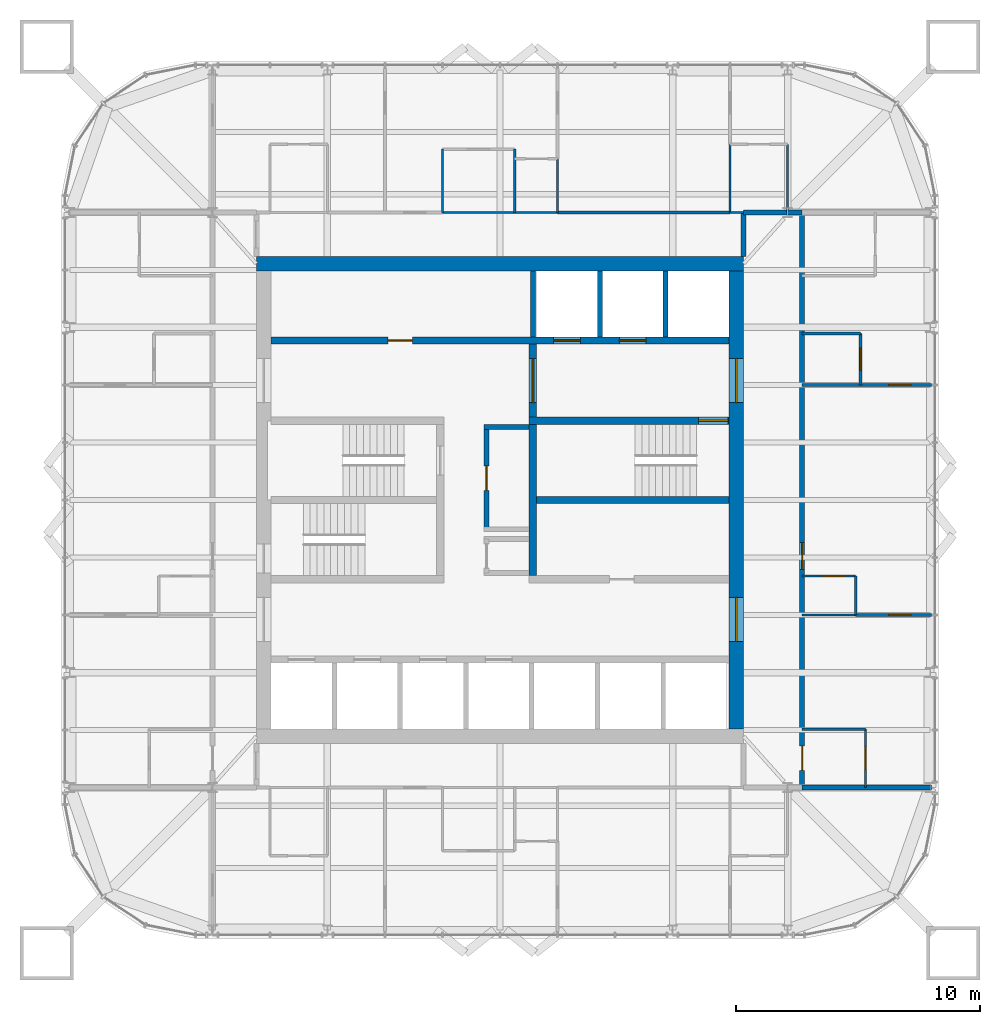
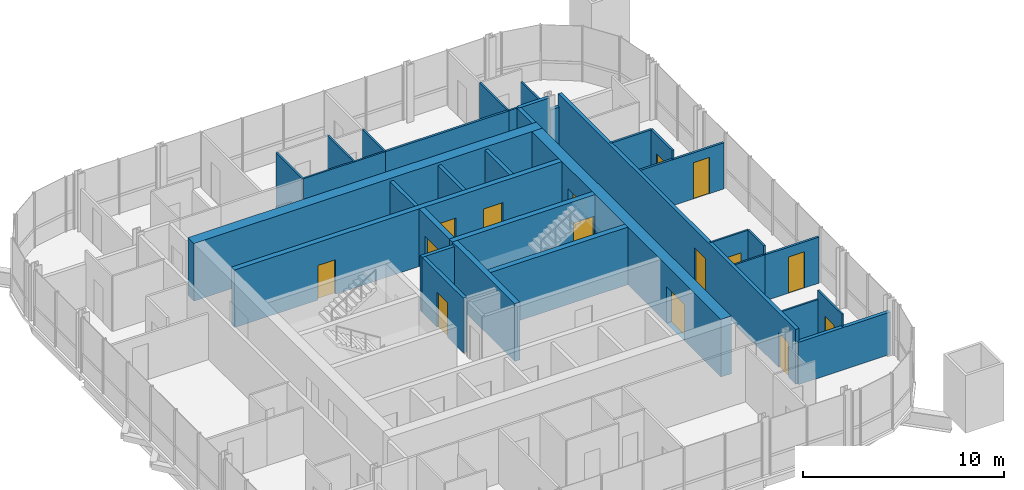
# One storey, part 15 of 17: 33 walls, 15 doors, 15 openings.
"""IFC4 building model written with IfcOpenShell, lengths in metres."""

import ifcopenshell
import ifcopenshell.guid

model = None  # the IFC model being written
_history = None  # IfcOwnerHistory: only IFC2X3 demands one
_inside = {}  # id of a spatial element -> (the spatial element, [elements in it])
_under = {}  # id of a project, library or spatial element -> (it, [spatial elements below it])
_declared = {}  # id of a project -> (the project, [libraries it declares])
_typed = {}  # id of a type object -> (the type object, [elements of that type])
_made_of = {}  # id of a material, layer set ... -> (it, [elements and type objects made of it])


def new_model(schema):
    """Start an empty IFC model of exactly this schema.

    Asked for "IFC4X3", IfcOpenShell would pick the latest addendum, in which some entities
    have other attributes; the version numbers below select the first issue.
    IFC2X3 requires an IfcOwnerHistory on every rooted entity: one is made here for all.
    """
    global model, _history
    if schema == "IFC4X3":
        model = ifcopenshell.file(schema_version=(4, 3, 0, 0))
    else:
        model = ifcopenshell.file(schema=schema)
    _inside.clear()
    _under.clear()
    _declared.clear()
    _typed.clear()
    _made_of.clear()
    _history = None
    if model.schema == "IFC2X3":
        org = make("IfcOrganization", Name="unknown")
        user = make(
            "IfcPersonAndOrganization",
            ThePerson=make("IfcPerson", FamilyName="unknown"),
            TheOrganization=org,
        )
        app = make(
            "IfcApplication",
            ApplicationDeveloper=org,
            Version="unknown",
            ApplicationFullName="unknown",
            ApplicationIdentifier="unknown",
        )
        _history = make(
            "IfcOwnerHistory",
            OwningUser=user,
            OwningApplication=app,
            ChangeAction="ADDED",
            CreationDate=0,
        )
    return model


def make(cls, **values):
    """One entity of the class cls with the attributes given. An attribute that is None is left unset."""
    return model.create_entity(
        cls, **{name: value for name, value in values.items() if value is not None}
    )


def rooted(cls, **values):
    """An entity with a GlobalId (a new one), such as an element, a storey or a relation."""
    return make(cls, GlobalId=ifcopenshell.guid.new(), OwnerHistory=_history, **values)


def si_unit(unit_type, name, prefix=None):
    """IfcSIUnit, for example si_unit("LENGTHUNIT", "METRE", prefix="MILLI")."""
    return make("IfcSIUnit", UnitType=unit_type, Prefix=prefix, Name=name)


def assignment(units):
    """IfcUnitAssignment: the units of a project."""
    return None if units is None else make("IfcUnitAssignment", Units=units)


def point(xyz):
    """IfcCartesianPoint."""
    return None if xyz is None else make("IfcCartesianPoint", Coordinates=xyz)


def direction(xyz):
    """IfcDirection."""
    return None if xyz is None else make("IfcDirection", DirectionRatios=xyz)


def frame(location, z_axis=None, x_axis=None):
    """IfcAxis2Placement3D, a coordinate frame: its origin and axes. An axis left out is left unset."""
    return make(
        "IfcAxis2Placement3D",
        Location=point(location),
        Axis=direction(z_axis),
        RefDirection=direction(x_axis),
    )


def frame_2d(location, x_axis=None):
    """IfcAxis2Placement2D, a coordinate frame in the plane: its origin and x axis."""
    return make(
        "IfcAxis2Placement2D", Location=point(location), RefDirection=direction(x_axis)
    )


def origin():
    """The frame at (0, 0, 0) with its axes left unset."""
    return frame((0.0, 0.0, 0.0))


def place(relative_to, where):
    """IfcLocalPlacement: puts the frame where relative to a parent placement (None: the world)."""
    return make(
        "IfcLocalPlacement", PlacementRelTo=relative_to, RelativePlacement=where
    )


def context(
    kind, dimensions, precision=None, world=None, true_north=None, identifier=None
):
    """IfcGeometricRepresentationContext, for example the 3D "Model" context."""
    return make(
        "IfcGeometricRepresentationContext",
        ContextIdentifier=identifier,
        ContextType=kind,
        CoordinateSpaceDimension=dimensions,
        Precision=precision,
        WorldCoordinateSystem=world,
        TrueNorth=true_north,
    )


def subcontext(parent, identifier, kind, view, scale=None):
    """IfcGeometricRepresentationSubContext, for example "Body" below "Model"."""
    return make(
        "IfcGeometricRepresentationSubContext",
        ContextIdentifier=identifier,
        ContextType=kind,
        ParentContext=parent,
        TargetScale=scale,
        TargetView=view,
    )


def project(units=None, contexts=None):
    """IfcProject with its units and contexts."""
    return rooted(
        "IfcProject",
        Name="project",
        RepresentationContexts=contexts,
        UnitsInContext=assignment(units),
    )


def spatial(cls, under=None, at=None, **own):
    """A site, building, storey or space (cls), placed at a placement, below another one or the project."""
    s = rooted(cls, ObjectPlacement=at, **own)
    if under is not None:
        _under.setdefault(under.id(), (under, []))[1].append(s)
    return s


def profile(cls, at=None, kind="AREA", **sizes):
    """A parametric profile (cls). Its sizes go by their IFC names, for example OverallWidth=200.0."""
    return make(cls, ProfileType=kind, Position=at, **sizes)


def rectangle(**sizes):
    """IfcRectangleProfileDef."""
    return profile("IfcRectangleProfileDef", **sizes)


def extrude(swept, where, along, depth):
    """IfcExtrudedAreaSolid: the profile swept, set in the frame where, extruded along a direction by depth."""
    return make(
        "IfcExtrudedAreaSolid",
        SweptArea=swept,
        Position=where,
        ExtrudedDirection=direction(along),
        Depth=depth,
    )


def shape(context_of_items, identifier, shape_type, items):
    """IfcShapeRepresentation: the items that make up one representation, for example the "Body"."""
    return make(
        "IfcShapeRepresentation",
        ContextOfItems=context_of_items,
        RepresentationIdentifier=identifier,
        RepresentationType=shape_type,
        Items=items,
    )


def material(Name=None, Category=None):
    """IfcMaterial."""
    return make("IfcMaterial", Name=Name, Category=Category)


def layer(
    of_material, thickness, ventilated=None, Name=None, Category=None, Priority=None
):
    """IfcMaterialLayer: one layer of a wall or slab, of a material (None: an air gap)."""
    return make(
        "IfcMaterialLayer",
        Material=of_material,
        LayerThickness=thickness,
        IsVentilated=ventilated,
        Name=Name,
        Category=Category,
        Priority=Priority,
    )


def layer_set(layers, Name=None):
    """IfcMaterialLayerSet."""
    return make("IfcMaterialLayerSet", MaterialLayers=layers, LayerSetName=Name)


def made_of(thing, what):
    """Note that an element or type object is made of a material, layer set ...; save() writes the relation."""
    if what is not None:
        _made_of.setdefault(what.id(), (what, []))[1].append(thing)
    return thing


def type_object(cls, material=None, **own):
    """A type object (cls), such as IfcWallType, which elements share."""
    return made_of(rooted(cls, **own), material)


def element(
    cls,
    number,
    at=None,
    inside=None,
    cuts=None,
    type_object=None,
    material=None,
    context=None,
    identifier="Body",
    shape_type=None,
    held_by="IfcProductDefinitionShape",
    body=None,
    shapes=None,
    **own,
):
    """One element of the class cls, such as IfcWall. Its Tag is "e" and its number.

    at: its placement. inside: the storey or other place that contains it. cuts: it is an
    opening in that element (IfcRelVoidsElement). A single representation is given by context,
    identifier, shape_type and body (its items); several are given by shapes. held_by: the class
    of the entity that holds the representations. save() writes the other relations.
    """
    e = rooted(cls, Tag="e%d" % number, ObjectPlacement=at, **own)
    if body is not None:
        shapes = [shape(context, identifier, shape_type, body)]
    if shapes is not None:
        e.Representation = make(held_by, Representations=shapes)
    if inside is not None:
        _inside.setdefault(inside.id(), (inside, []))[1].append(e)
    if cuts is not None:
        rooted(
            "IfcRelVoidsElement", RelatingBuildingElement=cuts, RelatedOpeningElement=e
        )
    if type_object is not None:
        _typed.setdefault(type_object.id(), (type_object, []))[1].append(e)
    return made_of(e, material)


def fill(opening, filler):
    """IfcRelFillsElement: the door or window that sits in an opening."""
    return rooted(
        "IfcRelFillsElement",
        RelatingOpeningElement=opening,
        RelatedBuildingElement=filler,
    )


def aggregate(whole, parts):
    """IfcRelAggregates: a whole, such as a stair, and the parts it consists of."""
    return rooted("IfcRelAggregates", RelatingObject=whole, RelatedObjects=parts)


def save(model, path):
    """Write the relations noted so far, then the file.

    IfcRelAggregates (storeys below a building ...), IfcRelContainedInSpatialStructure (elements
    in a storey), IfcRelDefinesByType, IfcRelAssociatesMaterial and IfcRelDeclares: one each for
    every whole, place, type object, material and project.
    """
    for whole, parts in _under.values():
        aggregate(whole, parts)
    for where, things in _inside.values():
        rooted(
            "IfcRelContainedInSpatialStructure",
            RelatedElements=things,
            RelatingStructure=where,
        )
    for kind, things in _typed.values():
        rooted("IfcRelDefinesByType", RelatedObjects=things, RelatingType=kind)
    for what, things in _made_of.values():
        rooted("IfcRelAssociatesMaterial", RelatedObjects=things, RelatingMaterial=what)
    for by, libraries in _declared.values():
        rooted("IfcRelDeclares", RelatingContext=by, RelatedDefinitions=libraries)
    model.write(path)


model = new_model("IFC4")

# Units and contexts
model_context = context("Model", 3, precision=1e-05, world=origin(), true_north=direction((0.0, 1.0)))
body_context = subcontext(model_context, "Body", "Model", "MODEL_VIEW")
ifc_project = project(units=[si_unit("LENGTHUNIT", "METRE"), si_unit("AREAUNIT", "SQUARE_METRE"), si_unit("VOLUMEUNIT", "CUBIC_METRE"), si_unit("PLANEANGLEUNIT", "RADIAN"), si_unit("MASSUNIT", "GRAM", prefix="KILO")], contexts=[model_context])

# Site, building, storey
site_placement = place(None, origin())
site = spatial("IfcSite", under=ifc_project, at=site_placement, CompositionType="ELEMENT")
building_placement = place(site_placement, origin())
building = spatial("IfcBuilding", under=site, at=building_placement, Name="Turquesa Mirador Hotel Tower", CompositionType="ELEMENT")
storey_placement = place(building_placement, frame((0.0, 0.0, 251.199951171875)))
storey = spatial("IfcBuildingStorey", under=building, at=storey_placement, Name="L68", CompositionType="ELEMENT", Elevation=251.199951171875)

# Wall, opening, door
ifc_material_1 = material(Name="Gypsum board on steel studs", Category="steel")
ifc_layer_1 = layer(ifc_material_1, 0.10009765625)
ifc_layer_set_1 = layer_set([ifc_layer_1], Name="BATHROOM WALL 100")
wall_type_1 = type_object("IfcWallType", Name="BATHROOM WALL 100", PredefinedType="PARTITIONING", material=ifc_layer_set_1)
wall_1_placement = place(storey_placement, frame((67.39990234375, 41.8798828125, 0.0), z_axis=(0.0, 0.0, 1.0), x_axis=(1.0, 0.0, 0.0)))
wall_1 = element("IfcWall", 1, at=wall_1_placement, inside=storey, type_object=wall_type_1, Name="Partition L68 016", PredefinedType="PARTITIONING", context=body_context, shape_type="SweptSolid", body=[
    extrude(rectangle(XDim=2.2001953125, YDim=0.10009765625, at=frame_2d((1.10009765625, 0.0))), origin(), (0.0, 0.0, 1.0), 3.330078125),
])
opening_1_placement = place(wall_1_placement, frame((0.85009765625, 0.0, 0.0)))
opening_1 = element("IfcOpeningElement", 2, at=opening_1_placement, cuts=wall_1, Name="Opening D06", PredefinedType="OPENING", context=body_context, shape_type="SweptSolid", body=[
    extrude(rectangle(XDim=0.89990234375, YDim=2.10009765625, at=frame_2d((0.449951171875, 1.050048828125))), frame((0.0, 0.06005859375, 0.0), z_axis=(0.0, -1.0, 0.0), x_axis=(1.0, 0.0, 0.0)), (0.0, 0.0, 1.0), 0.1201171875),
])
ifc_material_2 = material(Name="Laminate door", Category="wood")
door_type_1 = type_object("IfcDoorType", Name="DOOR 900X2100 WC", OperationType="SINGLE_SWING_LEFT", PredefinedType="DOOR", material=ifc_material_2)
door_1_placement = place(opening_1_placement, origin())
door_1 = element("IfcDoor", 3, at=door_1_placement, inside=storey, type_object=door_type_1, Name="Door 6803W", OperationType="SINGLE_SWING_LEFT", OverallHeight=2.10009765625, OverallWidth=0.89990234375, PredefinedType="DOOR", context=body_context, shape_type="SweptSolid", body=[
    extrude(rectangle(XDim=0.89990234375, YDim=2.10009765625, at=frame_2d((0.449951171875, 1.050048828125))), frame((0.0, 0.02490234375, 0.0), z_axis=(0.0, -1.0, 0.0), x_axis=(1.0, 0.0, 0.0)), (0.0, 0.0, 1.0), 0.050048828125),
])
fill(opening_1, door_1)

# Walls
wall_2_placement = place(storey_placement, frame((67.39990234375, 40.280029296875, 0.0), z_axis=(0.0, 0.0, 1.0), x_axis=(1.0, 0.0, 0.0)))
element("IfcWall", 4, at=wall_2_placement, inside=storey, type_object=wall_type_1, Name="Partition L68 018", PredefinedType="PARTITIONING", context=body_context, shape_type="SweptSolid", body=[
    extrude(rectangle(XDim=2.2001953125, YDim=0.10009765625, at=frame_2d((1.10009765625, 0.0))), origin(), (0.0, 0.0, 1.0), 2.796630859375),
])
wall_3_placement = place(storey_placement, frame((67.39990234375, 35.60009765625, 0.0), z_axis=(0.0, 0.0, 1.0), x_axis=(1.0, 0.0, 0.0)))
element("IfcWall", 5, at=wall_3_placement, inside=storey, type_object=wall_type_1, Name="Partition L68 022", PredefinedType="PARTITIONING", context=body_context, shape_type="SweptSolid", body=[
    extrude(rectangle(XDim=2.60009765625, YDim=0.10009765625, at=frame_2d((1.300048828125, 0.0))), origin(), (0.0, 0.0, 1.0), 2.796630859375),
])
wall_4_placement = place(storey_placement, frame((52.639892578125, 56.800048828125, 0.0), z_axis=(0.0, 0.0, 1.0), x_axis=(1.0, 0.0, 0.0)))
element("IfcWall", 6, at=wall_4_placement, inside=storey, type_object=wall_type_1, Name="Partition L68 024", PredefinedType="PARTITIONING", context=body_context, shape_type="SweptSolid", body=[
    extrude(rectangle(XDim=4.72021484375, YDim=0.10009765625, at=frame_2d((2.360107421875, 0.0))), origin(), (0.0, 0.0, 1.0), 3.330078125),
])
wall_5_placement = place(storey_placement, frame((64.43994140625, 56.800048828125, 0.0), z_axis=(0.0, 0.0, 1.0), x_axis=(1.0, 0.0, 0.0)))
element("IfcWall", 7, at=wall_5_placement, inside=storey, type_object=wall_type_1, Name="Partition L68 025", PredefinedType="PARTITIONING", context=body_context, shape_type="SweptSolid", body=[
    extrude(rectangle(XDim=0.56005859375, YDim=0.10009765625, at=frame_2d((0.280029296875, 0.0))), origin(), (0.0, 0.0, 1.0), 3.330078125),
])
for number, where, z_axis, x_axis, name in (
    (8, (52.639892578125, 56.800048828125, 0.0), (0.0, 0.0, 1.0), (0.0, 1.0, 0.0), "Partition L68 053"),
    (9, (55.60009765625, 56.800048828125, 0.0), (0.0, 0.0, 1.0), (0.0, 1.0, 0.0), "Partition L68 061"),
):
    element("IfcWall", number, at=place(storey_placement, frame(where, z_axis=z_axis, x_axis=x_axis)), inside=storey, type_object=wall_type_1, Name=name, PredefinedType="PARTITIONING", context=body_context, shape_type="SweptSolid", body=[
        extrude(rectangle(XDim=2.599853515625, YDim=0.10009765625, at=frame_2d((1.2998046875, 0.0))), origin(), (0.0, 0.0, 1.0), 3.330078125),
    ])
wall_6_placement = place(storey_placement, frame((66.800048828125, 56.800048828125, 0.0), z_axis=(0.0, 0.0, 1.0), x_axis=(0.0, 1.0, 0.0)))
element("IfcWall", 10, at=wall_6_placement, inside=storey, type_object=wall_type_1, Name="Partition L68 065", PredefinedType="PARTITIONING", context=body_context, shape_type="SweptSolid", body=[
    extrude(rectangle(XDim=2.800048828125, YDim=0.10009765625, at=frame_2d((1.39990234375, 0.0))), origin(), (0.0, 0.0, 1.0), 2.5732421875),
])
wall_7_placement = place(storey_placement, frame((69.60009765625, 40.280029296875, 0.0), z_axis=(0.0, 0.0, 1.0), x_axis=(0.0, 1.0, 0.0)))
element("IfcWall", 11, at=wall_7_placement, inside=storey, type_object=wall_type_1, Name="Partition L68 067", PredefinedType="PARTITIONING", context=body_context, shape_type="SweptSolid", body=[
    extrude(rectangle(XDim=1.599853515625, YDim=0.10009765625, at=frame_2d((0.7998046875, 0.0))), origin(), (0.0, 0.0, 1.0), 3.330078125),
])

# Wall, opening, door
wall_8_placement = place(storey_placement, frame((70.0, 33.199951171875, 0.0), z_axis=(0.0, 0.0, 1.0), x_axis=(0.0, 1.0, 0.0)))
wall_8 = element("IfcWall", 12, at=wall_8_placement, inside=storey, type_object=wall_type_1, Name="Partition L68 069", PredefinedType="PARTITIONING", context=body_context, shape_type="SweptSolid", body=[
    extrude(rectangle(XDim=2.400146484375, YDim=0.10009765625, at=frame_2d((1.2001953125, 0.0))), origin(), (0.0, 0.0, 1.0), 3.330078125),
])
opening_2_placement = place(wall_8_placement, frame((0.75, 0.0, 0.0)))
opening_2 = element("IfcOpeningElement", 13, at=opening_2_placement, cuts=wall_8, Name="Opening D17", PredefinedType="OPENING", context=body_context, shape_type="SweptSolid", body=[
    extrude(rectangle(XDim=0.89990234375, YDim=2.199951171875, at=frame_2d((0.449951171875, 1.10009765625))), frame((0.0, 0.06005859375, 0.0), z_axis=(0.0, -1.0, 0.0), x_axis=(1.0, 0.0, 0.0)), (0.0, 0.0, 1.0), 0.1201171875),
])
ifc_material_3 = material(Name="Timber veneered door", Category="wood")
door_type_2 = type_object("IfcDoorType", Name="DOOR 900X2200 SUITE INTERNAL", OperationType="SINGLE_SWING_LEFT", PredefinedType="DOOR", material=ifc_material_3)
door_2_placement = place(opening_2_placement, origin())
door_2 = element("IfcDoor", 14, at=door_2_placement, inside=storey, type_object=door_type_2, Name="Door 6803P", OperationType="SINGLE_SWING_LEFT", OverallHeight=2.199951171875, OverallWidth=0.89990234375, PredefinedType="DOOR", context=body_context, shape_type="SweptSolid", body=[
    extrude(rectangle(XDim=0.89990234375, YDim=2.199951171875, at=frame_2d((0.449951171875, 1.10009765625))), frame((0.0, 0.02490234375, 0.0), z_axis=(0.0, -1.0, 0.0), x_axis=(1.0, 0.0, 0.0)), (0.0, 0.0, 1.0), 0.050048828125),
])
fill(opening_2, door_2)

# Walls
wall_9_placement = place(storey_placement, frame((57.360107421875, 56.800048828125, 0.0), z_axis=(0.0, 0.0, 1.0), x_axis=(0.0, 1.0, 0.0)))
element("IfcWall", 15, at=wall_9_placement, inside=storey, type_object=wall_type_1, Name="Partition L68 072", PredefinedType="PARTITIONING", context=body_context, shape_type="SweptSolid", body=[
    extrude(rectangle(XDim=2.199951171875, YDim=0.10009765625, at=frame_2d((1.10009765625, 0.0))), origin(), (0.0, 0.0, 1.0), 3.330078125),
])
wall_10_placement = place(storey_placement, frame((64.43994140625, 56.800048828125, 0.0), z_axis=(0.0, 0.0, 1.0), x_axis=(0.0, 1.0, 0.0)))
element("IfcWall", 16, at=wall_10_placement, inside=storey, type_object=wall_type_1, Name="Partition L68 076", PredefinedType="PARTITIONING", context=body_context, shape_type="SweptSolid", body=[
    extrude(rectangle(XDim=2.800048828125, YDim=0.10009765625, at=frame_2d((1.39990234375, 0.0))), origin(), (0.0, 0.0, 1.0), 3.330078125),
])

# Wall, openings, doors
ifc_material_4 = material(Name="Concrete C50/60", Category="concrete")
ifc_layer_2 = layer(ifc_material_4, 0.300048828125)
ifc_layer_set_2 = layer_set([ifc_layer_2], Name="CORE INNER WALL 300")
wall_type_2 = type_object("IfcWallType", Name="CORE INNER WALL 300", PredefinedType="SHEAR", material=ifc_layer_set_2)
wall_11_placement = place(storey_placement, frame((45.60009765625, 51.550048828125, 0.0), z_axis=(0.0, 0.0, 1.0), x_axis=(1.0, 0.0, 0.0)))
wall_11 = element("IfcWall", 17, at=wall_11_placement, inside=storey, type_object=wall_type_2, Name="Core wall NL", PredefinedType="SHEAR", context=body_context, shape_type="SweptSolid", body=[
    extrude(rectangle(XDim=18.7998046875, YDim=0.300048828125, at=frame_2d((9.39990234375, 0.0))), origin(), (0.0, 0.0, 1.0), 3.5),
])
opening_3_placement = place(wall_11_placement, frame((4.800048828125, 0.0, 0.0)))
opening_3 = element("IfcOpeningElement", 18, at=opening_3_placement, cuts=wall_11, Name="Opening D05", PredefinedType="OPENING", context=body_context, shape_type="SweptSolid", body=[
    extrude(rectangle(XDim=1.0, YDim=2.10009765625, at=frame_2d((0.5, 1.050048828125))), frame((0.0, 0.159912109375, 0.0), z_axis=(0.0, -1.0, 0.0), x_axis=(1.0, 0.0, 0.0)), (0.0, 0.0, 1.0), 0.320068359375),
])
opening_4_placement = place(wall_11_placement, frame((11.60009765625, 0.0, 0.0)))
opening_4 = element("IfcOpeningElement", 19, at=opening_4_placement, cuts=wall_11, Name="Opening LD", PredefinedType="OPENING", context=body_context, shape_type="SweptSolid", body=[
    extrude(rectangle(XDim=1.10009765625, YDim=2.199951171875, at=frame_2d((0.550048828125, 1.10009765625))), frame((0.0, 0.159912109375, 0.0), z_axis=(0.0, -1.0, 0.0), x_axis=(1.0, 0.0, 0.0)), (0.0, 0.0, 1.0), 0.320068359375),
])
opening_5_placement = place(wall_11_placement, frame((14.300048828125, 0.0, 0.0)))
opening_5 = element("IfcOpeningElement", 20, at=opening_5_placement, cuts=wall_11, Name="Opening LD", PredefinedType="OPENING", context=body_context, shape_type="SweptSolid", body=[
    extrude(rectangle(XDim=1.10009765625, YDim=2.199951171875, at=frame_2d((0.550048828125, 1.10009765625))), frame((0.0, 0.159912109375, 0.0), z_axis=(0.0, -1.0, 0.0), x_axis=(1.0, 0.0, 0.0)), (0.0, 0.0, 1.0), 0.320068359375),
])
ifc_material_5 = material(Name="Steel fire door", Category="steel")
door_type_3 = type_object("IfcDoorType", Name="DOOR 1000X2100 SERVICE", OperationType="SINGLE_SWING_LEFT", PredefinedType="DOOR", material=ifc_material_5)
door_3_placement = place(opening_3_placement, origin())
door_3 = element("IfcDoor", 21, at=door_3_placement, inside=storey, type_object=door_type_3, Name="Linen store door", OperationType="SINGLE_SWING_LEFT", OverallHeight=2.10009765625, OverallWidth=1.0, PredefinedType="DOOR", context=body_context, shape_type="SweptSolid", body=[
    extrude(rectangle(XDim=1.0, YDim=2.10009765625, at=frame_2d((0.5, 1.050048828125))), frame((0.0, 0.02490234375, 0.0), z_axis=(0.0, -1.0, 0.0), x_axis=(1.0, 0.0, 0.0)), (0.0, 0.0, 1.0), 0.050048828125),
])
fill(opening_3, door_3)
ifc_material_6 = material(Name="Stainless steel lift landing door", Category="steel")
door_type_4 = type_object("IfcDoorType", Name="LIFT LANDING DOOR 1100X2200", OperationType="SLIDING_TO_LEFT", PredefinedType="DOOR", material=ifc_material_6)
door_4_placement = place(opening_4_placement, origin())
door_4 = element("IfcDoor", 22, at=door_4_placement, inside=storey, type_object=door_type_4, Name="Lift S1 landing door", OperationType="SLIDING_TO_LEFT", OverallHeight=2.199951171875, OverallWidth=1.10009765625, PredefinedType="DOOR", context=body_context, shape_type="SweptSolid", body=[
    extrude(rectangle(XDim=1.10009765625, YDim=2.199951171875, at=frame_2d((0.550048828125, 1.10009765625))), frame((0.0, 0.02490234375, 0.0), z_axis=(0.0, -1.0, 0.0), x_axis=(1.0, 0.0, 0.0)), (0.0, 0.0, 1.0), 0.050048828125),
])
fill(opening_4, door_4)
door_5_placement = place(opening_5_placement, origin())
door_5 = element("IfcDoor", 23, at=door_5_placement, inside=storey, type_object=door_type_4, Name="Lift S2 landing door", OperationType="SLIDING_TO_LEFT", OverallHeight=2.199951171875, OverallWidth=1.10009765625, PredefinedType="DOOR", context=body_context, shape_type="SweptSolid", body=[
    extrude(rectangle(XDim=1.10009765625, YDim=2.199951171875, at=frame_2d((0.550048828125, 1.10009765625))), frame((0.0, 0.02490234375, 0.0), z_axis=(0.0, -1.0, 0.0), x_axis=(1.0, 0.0, 0.0)), (0.0, 0.0, 1.0), 0.050048828125),
])
fill(opening_5, door_5)

# Wall, opening, door
wall_12_placement = place(storey_placement, frame((56.199951171875, 48.25, 0.0), z_axis=(0.0, 0.0, 1.0), x_axis=(1.0, 0.0, 0.0)))
wall_12 = element("IfcWall", 24, at=wall_12_placement, inside=storey, type_object=wall_type_2, Name="Core wall MN-E", PredefinedType="SHEAR", context=body_context, shape_type="SweptSolid", body=[
    extrude(rectangle(XDim=8.199951171875, YDim=0.300048828125, at=frame_2d((4.10009765625, 0.0))), origin(), (0.0, 0.0, 1.0), 3.5),
])
opening_6_placement = place(wall_12_placement, frame((6.949951171875, 0.0, 0.0)))
opening_6 = element("IfcOpeningElement", 25, at=opening_6_placement, cuts=wall_12, Name="Opening D03", PredefinedType="OPENING", context=body_context, shape_type="SweptSolid", body=[
    extrude(rectangle(XDim=1.199951171875, YDim=2.199951171875, at=frame_2d((0.60009765625, 1.10009765625))), frame((0.0, 0.159912109375, 0.0), z_axis=(0.0, -1.0, 0.0), x_axis=(1.0, 0.0, 0.0)), (0.0, 0.0, 1.0), 0.320068359375),
])
ifc_material_7 = material(Name="Steel fire door", Category="steel")
door_type_5 = type_object("IfcDoorType", Name="DOOR 1200X2200 STAIR", OperationType="SINGLE_SWING_LEFT", PredefinedType="DOOR", material=ifc_material_7)
door_6_placement = place(opening_6_placement, origin())
door_6 = element("IfcDoor", 26, at=door_6_placement, inside=storey, type_object=door_type_5, Name="Stair ST3 door", OperationType="SINGLE_SWING_LEFT", OverallHeight=2.199951171875, OverallWidth=1.199951171875, PredefinedType="DOOR", context=body_context, shape_type="SweptSolid", body=[
    extrude(rectangle(XDim=1.199951171875, YDim=2.199951171875, at=frame_2d((0.60009765625, 1.10009765625))), frame((0.0, 0.02490234375, 0.0), z_axis=(0.0, -1.0, 0.0), x_axis=(1.0, 0.0, 0.0)), (0.0, 0.0, 1.0), 0.050048828125),
])
fill(opening_6, door_6)

wall_13_placement = place(storey_placement, frame((56.35009765625, 41.89990234375, 0.0), z_axis=(0.0, 0.0, 1.0), x_axis=(0.0, 1.0, 0.0)))
wall_13 = element("IfcWall", 27, at=wall_13_placement, inside=storey, type_object=wall_type_2, Name="Core wall PE", PredefinedType="SHEAR", context=body_context, shape_type="SweptSolid", body=[
    extrude(rectangle(XDim=9.5, YDim=0.300048828125, at=frame_2d((4.75, 0.0))), origin(), (0.0, 0.0, 1.0), 3.5),
])
opening_7_placement = place(wall_13_placement, frame((7.10009765625, 0.0, 0.0)))
opening_7 = element("IfcOpeningElement", 28, at=opening_7_placement, cuts=wall_13, Name="Opening D04", PredefinedType="OPENING", context=body_context, shape_type="SweptSolid", body=[
    extrude(rectangle(XDim=1.800048828125, YDim=2.199951171875, at=frame_2d((0.89990234375, 1.10009765625))), frame((0.0, 0.159912109375, 0.0), z_axis=(0.0, -1.0, 0.0), x_axis=(1.0, 0.0, 0.0)), (0.0, 0.0, 1.0), 0.320068359375),
])
ifc_material_8 = material(Name="Steel fire door pair", Category="steel")
door_type_6 = type_object("IfcDoorType", Name="DOOR 1800X2200 PAIR", OperationType="DOUBLE_DOOR_SINGLE_SWING", PredefinedType="DOOR", material=ifc_material_8)
door_7_placement = place(opening_7_placement, origin())
door_7 = element("IfcDoor", 29, at=door_7_placement, inside=storey, type_object=door_type_6, Name="Firefighting lobby inner door", OperationType="DOUBLE_DOOR_SINGLE_SWING", OverallHeight=2.199951171875, OverallWidth=1.800048828125, PredefinedType="DOOR", context=body_context, shape_type="SweptSolid", body=[
    extrude(rectangle(XDim=1.800048828125, YDim=2.199951171875, at=frame_2d((0.89990234375, 1.10009765625))), frame((0.0, 0.02490234375, 0.0), z_axis=(0.0, -1.0, 0.0), x_axis=(1.0, 0.0, 0.0)), (0.0, 0.0, 1.0), 0.050048828125),
])
fill(opening_7, door_7)

# Walls
wall_14_placement = place(storey_placement, frame((56.5, 45.0, 0.0), z_axis=(0.0, 0.0, 1.0), x_axis=(1.0, 0.0, 0.0)))
element("IfcWall", 30, at=wall_14_placement, inside=storey, type_object=wall_type_2, Name="Core wall M0-E", PredefinedType="SHEAR", context=body_context, shape_type="SweptSolid", body=[
    extrude(rectangle(XDim=7.89990234375, YDim=0.300048828125, at=frame_2d((3.949951171875, 0.0))), origin(), (0.0, 0.0, 1.0), 3.5),
])
ifc_material_9 = material(Name="Concrete C50/60", Category="concrete")
ifc_layer_3 = layer(ifc_material_9, 0.60009765625)
ifc_layer_set_3 = layer_set([ifc_layer_3], Name="CORE WALL 600")
wall_type_3 = type_object("IfcWallType", Name="CORE WALL 600", PredefinedType="SHEAR", material=ifc_layer_set_3)
wall_15_placement = place(storey_placement, frame((45.0, 54.699951171875, 0.0), z_axis=(0.0, 0.0, 1.0), x_axis=(1.0, 0.0, 0.0)))
element("IfcWall", 31, at=wall_15_placement, inside=storey, type_object=wall_type_3, Name="Core wall N", PredefinedType="SHEAR", context=body_context, shape_type="SweptSolid", body=[
    extrude(rectangle(XDim=20.0, YDim=0.60009765625, at=frame_2d((10.0, 0.0))), origin(), (0.0, 0.0, 1.0), 3.5),
])

# Wall, openings, doors
wall_16_placement = place(storey_placement, frame((64.699951171875, 35.60009765625, 0.0), z_axis=(0.0, 0.0, 1.0), x_axis=(0.0, 1.0, 0.0)))
wall_16 = element("IfcWall", 32, at=wall_16_placement, inside=storey, type_object=wall_type_3, Name="Core wall E", PredefinedType="SHEAR", context=body_context, shape_type="SweptSolid", body=[
    extrude(rectangle(XDim=18.7998046875, YDim=0.60009765625, at=frame_2d((9.39990234375, 0.0))), origin(), (0.0, 0.0, 1.0), 3.5),
])
opening_8_placement = place(wall_16_placement, frame((13.39990234375, 0.0, 0.0)))
opening_8 = element("IfcOpeningElement", 33, at=opening_8_placement, cuts=wall_16, Name="Opening D04", PredefinedType="OPENING", context=body_context, shape_type="SweptSolid", body=[
    extrude(rectangle(XDim=1.800048828125, YDim=2.199951171875, at=frame_2d((0.89990234375, 1.10009765625))), frame((0.0, 0.31005859375, 0.0), z_axis=(0.0, -1.0, 0.0), x_axis=(1.0, 0.0, 0.0)), (0.0, 0.0, 1.0), 0.6201171875),
])
opening_9_placement = place(wall_16_placement, frame((3.60009765625, 0.0, 0.0)))
opening_9 = element("IfcOpeningElement", 34, at=opening_9_placement, cuts=wall_16, Name="Opening D04", PredefinedType="OPENING", context=body_context, shape_type="SweptSolid", body=[
    extrude(rectangle(XDim=1.800048828125, YDim=2.199951171875, at=frame_2d((0.89990234375, 1.10009765625))), frame((0.0, 0.31005859375, 0.0), z_axis=(0.0, -1.0, 0.0), x_axis=(1.0, 0.0, 0.0)), (0.0, 0.0, 1.0), 0.6201171875),
])
door_8_placement = place(opening_8_placement, origin())
door_8 = element("IfcDoor", 35, at=door_8_placement, inside=storey, type_object=door_type_6, Name="Firefighting lobby door", OperationType="DOUBLE_DOOR_SINGLE_SWING", OverallHeight=2.199951171875, OverallWidth=1.800048828125, PredefinedType="DOOR", context=body_context, shape_type="SweptSolid", body=[
    extrude(rectangle(XDim=1.800048828125, YDim=2.199951171875, at=frame_2d((0.89990234375, 1.10009765625))), frame((0.0, 0.02490234375, 0.0), z_axis=(0.0, -1.0, 0.0), x_axis=(1.0, 0.0, 0.0)), (0.0, 0.0, 1.0), 0.050048828125),
])
fill(opening_8, door_8)
door_9_placement = place(opening_9_placement, origin())
door_9 = element("IfcDoor", 36, at=door_9_placement, inside=storey, type_object=door_type_6, Name="South lift lobby door", OperationType="DOUBLE_DOOR_SINGLE_SWING", OverallHeight=2.199951171875, OverallWidth=1.800048828125, PredefinedType="DOOR", context=body_context, shape_type="SweptSolid", body=[
    extrude(rectangle(XDim=1.800048828125, YDim=2.199951171875, at=frame_2d((0.89990234375, 1.10009765625))), frame((0.0, 0.02490234375, 0.0), z_axis=(0.0, -1.0, 0.0), x_axis=(1.0, 0.0, 0.0)), (0.0, 0.0, 1.0), 0.050048828125),
])
fill(opening_9, door_9)

# Walls
ifc_material_10 = material(Name="Fire-rated gypsum board on steel studs", Category="steel")
ifc_layer_4 = layer(ifc_material_10, 0.199951171875)
ifc_layer_set_4 = layer_set([ifc_layer_4], Name="CORRIDOR WALL 200")
wall_type_4 = type_object("IfcWallType", Name="CORRIDOR WALL 200", PredefinedType="PARTITIONING", material=ifc_layer_set_4)
wall_17_placement = place(storey_placement, frame((65.0, 56.800048828125, 0.0), z_axis=(0.0, 0.0, 1.0), x_axis=(1.0, 0.0, 0.0)))
element("IfcWall", 37, at=wall_17_placement, inside=storey, type_object=wall_type_4, Name="Partition L68 027", PredefinedType="PARTITIONING", context=body_context, shape_type="SweptSolid", body=[
    extrude(rectangle(XDim=1.780029296875, YDim=0.199951171875, at=frame_2d((0.89013671875, 0.0))), origin(), (0.0, 0.0, 1.0), 3.330078125),
])
wall_18_placement = place(storey_placement, frame((65.0, 55.0, 0.0), z_axis=(0.0, 0.0, 1.0), x_axis=(0.0, 1.0, 0.0)))
element("IfcWall", 38, at=wall_18_placement, inside=storey, type_object=wall_type_4, Name="Partition L68 063", PredefinedType="PARTITIONING", context=body_context, shape_type="SweptSolid", body=[
    extrude(rectangle(XDim=1.800048828125, YDim=0.199951171875, at=frame_2d((0.89990234375, 0.0))), origin(), (0.0, 0.0, 1.0), 3.330078125),
])

# Wall, openings, doors
wall_19_placement = place(storey_placement, frame((67.39990234375, 33.199951171875, 0.0), z_axis=(0.0, 0.0, 1.0), x_axis=(0.0, 1.0, 0.0)))
wall_19 = element("IfcWall", 39, at=wall_19_placement, inside=storey, type_object=wall_type_4, Name="Partition L68 066", PredefinedType="PARTITIONING", context=body_context, shape_type="SweptSolid", body=[
    extrude(rectangle(XDim=23.60009765625, YDim=0.199951171875, at=frame_2d((11.800048828125, 0.0))), origin(), (0.0, 0.0, 1.0), 3.330078125),
])
opening_10_placement = place(wall_19_placement, frame((8.949951171875, 0.0, 0.0)))
opening_10 = element("IfcOpeningElement", 40, at=opening_10_placement, cuts=wall_19, Name="Opening D15", PredefinedType="OPENING", context=body_context, shape_type="SweptSolid", body=[
    extrude(rectangle(XDim=1.10009765625, YDim=2.199951171875, at=frame_2d((0.550048828125, 1.10009765625))), frame((0.0, 0.10986328125, 0.0), z_axis=(0.0, -1.0, 0.0), x_axis=(1.0, 0.0, 0.0)), (0.0, 0.0, 1.0), 0.219970703125),
])
opening_11_placement = place(wall_19_placement, frame((0.699951171875, 0.0, 0.0)))
opening_11 = element("IfcOpeningElement", 41, at=opening_11_placement, cuts=wall_19, Name="Opening D05", PredefinedType="OPENING", context=body_context, shape_type="SweptSolid", body=[
    extrude(rectangle(XDim=1.0, YDim=2.10009765625, at=frame_2d((0.5, 1.050048828125))), frame((0.0, 0.10986328125, 0.0), z_axis=(0.0, -1.0, 0.0), x_axis=(1.0, 0.0, 0.0)), (0.0, 0.0, 1.0), 0.219970703125),
])
door_10_placement = place(opening_11_placement, origin())
door_10 = element("IfcDoor", 42, at=door_10_placement, inside=storey, type_object=door_type_3, Name="Door 6803P-1", OperationType="SINGLE_SWING_LEFT", OverallHeight=2.10009765625, OverallWidth=1.0, PredefinedType="DOOR", context=body_context, shape_type="SweptSolid", body=[
    extrude(rectangle(XDim=1.0, YDim=2.10009765625, at=frame_2d((0.5, 1.050048828125))), frame((0.0, 0.02490234375, 0.0), z_axis=(0.0, -1.0, 0.0), x_axis=(1.0, 0.0, 0.0)), (0.0, 0.0, 1.0), 0.050048828125),
])
fill(opening_11, door_10)
ifc_material_11 = material(Name="Timber veneered fire door", Category="wood")
door_type_7 = type_object("IfcDoorType", Name="DOOR 1100X2200 SUITE ENTRY", OperationType="SINGLE_SWING_LEFT", PredefinedType="DOOR", material=ifc_material_11)
door_11_placement = place(opening_10_placement, origin())
door_11 = element("IfcDoor", 43, at=door_11_placement, inside=storey, type_object=door_type_7, Name="Door 6803", OperationType="SINGLE_SWING_LEFT", OverallHeight=2.199951171875, OverallWidth=1.10009765625, PredefinedType="DOOR", context=body_context, shape_type="SweptSolid", body=[
    extrude(rectangle(XDim=1.10009765625, YDim=2.199951171875, at=frame_2d((0.550048828125, 1.10009765625))), frame((0.0, 0.02490234375, 0.0), z_axis=(0.0, -1.0, 0.0), x_axis=(1.0, 0.0, 0.0)), (0.0, 0.0, 1.0), 0.050048828125),
])
fill(opening_10, door_11)

# Wall
wall_20_placement = place(storey_placement, frame((66.780029296875, 56.800048828125, 0.0), z_axis=(0.0, 0.0, 1.0), x_axis=(1.0, 0.0, 0.0)))
element("IfcWall", 44, at=wall_20_placement, inside=storey, type_object=wall_type_4, Name="Partition L68 080", PredefinedType="PARTITIONING", context=body_context, shape_type="SweptSolid", body=[
    extrude(rectangle(XDim=0.619873046875, YDim=0.199951171875, at=frame_2d((0.31005859375, 0.0))), origin(), (0.0, 0.0, 1.0), 2.5732421875),
])

# Wall, opening, door
ifc_material_12 = material(Name="Fire-rated gypsum board on steel studs", Category="steel")
ifc_layer_5 = layer(ifc_material_12, 0.199951171875)
ifc_layer_set_5 = layer_set([ifc_layer_5], Name="FIRE PARTITION 200")
wall_type_5 = type_object("IfcWallType", Name="FIRE PARTITION 200", PredefinedType="PARTITIONING", material=ifc_layer_set_5)
wall_21_placement = place(storey_placement, frame((54.449951171875, 43.800048828125, 0.0), z_axis=(0.0, 0.0, 1.0), x_axis=(0.0, 1.0, 0.0)))
wall_21 = element("IfcWall", 45, at=wall_21_placement, inside=storey, type_object=wall_type_5, Name="Partition L68 BO W", PredefinedType="PARTITIONING", context=body_context, shape_type="SweptSolid", body=[
    extrude(rectangle(XDim=4.199951171875, YDim=0.199951171875, at=frame_2d((2.10009765625, 0.0))), origin(), (0.0, 0.0, 1.0), 3.330078125),
])
opening_12_placement = place(wall_21_placement, frame((1.60009765625, 0.0, 0.0)))
opening_12 = element("IfcOpeningElement", 46, at=opening_12_placement, cuts=wall_21, Name="Opening D05", PredefinedType="OPENING", context=body_context, shape_type="SweptSolid", body=[
    extrude(rectangle(XDim=1.0, YDim=2.10009765625, at=frame_2d((0.5, 1.050048828125))), frame((0.0, 0.10986328125, 0.0), z_axis=(0.0, -1.0, 0.0), x_axis=(1.0, 0.0, 0.0)), (0.0, 0.0, 1.0), 0.219970703125),
])
door_12_placement = place(opening_12_placement, origin())
door_12 = element("IfcDoor", 47, at=door_12_placement, inside=storey, type_object=door_type_3, Name="Butler's pantry door", OperationType="SINGLE_SWING_LEFT", OverallHeight=2.10009765625, OverallWidth=1.0, PredefinedType="DOOR", context=body_context, shape_type="SweptSolid", body=[
    extrude(rectangle(XDim=1.0, YDim=2.10009765625, at=frame_2d((0.5, 1.050048828125))), frame((0.0, 0.02490234375, 0.0), z_axis=(0.0, -1.0, 0.0), x_axis=(1.0, 0.0, 0.0)), (0.0, 0.0, 1.0), 0.050048828125),
])
fill(opening_12, door_12)

# Walls
wall_22_placement = place(storey_placement, frame((54.35009765625, 48.0, 0.0), z_axis=(0.0, 0.0, 1.0), x_axis=(1.0, 0.0, 0.0)))
element("IfcWall", 48, at=wall_22_placement, inside=storey, type_object=wall_type_5, Name="Partition L68 BO N", PredefinedType="PARTITIONING", context=body_context, shape_type="SweptSolid", body=[
    extrude(rectangle(XDim=1.849853515625, YDim=0.199951171875, at=frame_2d((0.9248046875, 0.0))), origin(), (0.0, 0.0, 1.0), 3.330078125),
])
ifc_material_13 = material(Name="Fire-rated gypsum shaft wall on steel studs", Category="steel")
ifc_layer_6 = layer(ifc_material_13, 0.199951171875)
ifc_layer_set_6 = layer_set([ifc_layer_6], Name="LIFT SHAFT DIVIDER 200")
wall_type_6 = type_object("IfcWallType", Name="LIFT SHAFT DIVIDER 200", PredefinedType="PARTITIONING", material=ifc_layer_set_6)
for number, where, z_axis, x_axis, name in (
    (49, (59.10009765625, 51.699951171875, 0.0), (0.0, 0.0, 1.0), (0.0, 1.0, 0.0), "Lift shaft divider"),
    (50, (61.800048828125, 51.699951171875, 0.0), (0.0, 0.0, 1.0), (0.0, 1.0, 0.0), "Lift shaft divider"),
    (51, (56.35009765625, 51.699951171875, 0.0), (0.0, 0.0, 1.0), (0.0, 1.0, 0.0), "Lift shaft divider"),
):
    element("IfcWall", number, at=place(storey_placement, frame(where, z_axis=z_axis, x_axis=x_axis)), inside=storey, type_object=wall_type_6, Name=name, PredefinedType="PARTITIONING", context=body_context, shape_type="SweptSolid", body=[
        extrude(rectangle(XDim=2.699951171875, YDim=0.199951171875, at=frame_2d((1.35009765625, 0.0))), origin(), (0.0, 0.0, 1.0), 3.330078125),
    ])
ifc_material_14 = material(Name="Fire-rated gypsum board on steel studs", Category="steel")
ifc_layer_7 = layer(ifc_material_14, 0.199951171875)
ifc_layer_set_7 = layer_set([ifc_layer_7], Name="PARTY WALL 200")
wall_type_7 = type_object("IfcWallType", Name="PARTY WALL 200", PredefinedType="PARTITIONING", material=ifc_layer_set_7)
wall_23_placement = place(storey_placement, frame((67.39990234375, 33.199951171875, 0.0), z_axis=(0.0, 0.0, 1.0), x_axis=(1.0, 0.0, 0.0)))
element("IfcWall", 52, at=wall_23_placement, inside=storey, type_object=wall_type_7, Name="Partition L68 007", PredefinedType="PARTITIONING", context=body_context, shape_type="SweptSolid", body=[
    extrude(rectangle(XDim=5.300048828125, YDim=0.199951171875, at=frame_2d((2.64990234375, 0.0))), origin(), (0.0, 0.0, 1.0), 2.5732421875),
])

# Wall, opening, door
ifc_material_15 = material(Name="Acoustic gypsum board on steel studs", Category="steel")
ifc_layer_8 = layer(ifc_material_15, 0.125)
ifc_layer_set_8 = layer_set([ifc_layer_8], Name="SUITE PARTITION 125")
wall_type_8 = type_object("IfcWallType", Name="SUITE PARTITION 125", PredefinedType="PARTITIONING", material=ifc_layer_set_8)
wall_24_placement = place(storey_placement, frame((69.60009765625, 40.280029296875, 0.0), z_axis=(0.0, 0.0, 1.0), x_axis=(1.0, 0.0, 0.0)))
wall_24 = element("IfcWall", 53, at=wall_24_placement, inside=storey, type_object=wall_type_8, Name="Partition L68 020", PredefinedType="PARTITIONING", context=body_context, shape_type="SweptSolid", body=[
    extrude(rectangle(XDim=3.099853515625, YDim=0.125, at=frame_2d((1.5498046875, 0.0))), origin(), (0.0, 0.0, 1.0), 2.796630859375),
])
opening_13_placement = place(wall_24_placement, frame((1.35009765625, 0.0, 0.0)))
opening_13 = element("IfcOpeningElement", 54, at=opening_13_placement, cuts=wall_24, Name="Opening D17", PredefinedType="OPENING", context=body_context, shape_type="SweptSolid", body=[
    extrude(rectangle(XDim=0.89990234375, YDim=2.199951171875, at=frame_2d((0.449951171875, 1.10009765625))), frame((0.0, 0.072509765625, 0.0), z_axis=(0.0, -1.0, 0.0), x_axis=(1.0, 0.0, 0.0)), (0.0, 0.0, 1.0), 0.14501953125),
])
door_13_placement = place(opening_13_placement, origin())
door_13 = element("IfcDoor", 55, at=door_13_placement, inside=storey, type_object=door_type_2, Name="Door 6803M", OperationType="SINGLE_SWING_LEFT", OverallHeight=2.199951171875, OverallWidth=0.89990234375, PredefinedType="DOOR", context=body_context, shape_type="SweptSolid", body=[
    extrude(rectangle(XDim=0.89990234375, YDim=2.199951171875, at=frame_2d((0.449951171875, 1.10009765625))), frame((0.0, 0.02490234375, 0.0), z_axis=(0.0, -1.0, 0.0), x_axis=(1.0, 0.0, 0.0)), (0.0, 0.0, 1.0), 0.050048828125),
])
fill(opening_13, door_13)

# Wall
wall_25_placement = place(storey_placement, frame((57.360107421875, 56.800048828125, 0.0), z_axis=(0.0, 0.0, 1.0), x_axis=(1.0, 0.0, 0.0)))
element("IfcWall", 56, at=wall_25_placement, inside=storey, type_object=wall_type_8, Name="Partition L68 032", PredefinedType="PARTITIONING", context=body_context, shape_type="SweptSolid", body=[
    extrude(rectangle(XDim=7.079833984375, YDim=0.125, at=frame_2d((3.5400390625, 0.0))), origin(), (0.0, 0.0, 1.0), 3.330078125),
])

# Wall, opening, door
wall_26_placement = place(storey_placement, frame((67.39990234375, 49.719970703125, 0.0), z_axis=(0.0, 0.0, 1.0), x_axis=(1.0, 0.0, 0.0)))
wall_26 = element("IfcWall", 57, at=wall_26_placement, inside=storey, type_object=wall_type_8, Name="Partition L68 038", PredefinedType="PARTITIONING", context=body_context, shape_type="SweptSolid", body=[
    extrude(rectangle(XDim=5.300048828125, YDim=0.125, at=frame_2d((2.64990234375, 0.0))), origin(), (0.0, 0.0, 1.0), 2.796630859375),
])
opening_14_placement = place(wall_26_placement, frame((3.550048828125, 0.0, 0.0)))
opening_14 = element("IfcOpeningElement", 58, at=opening_14_placement, cuts=wall_26, Name="Opening D17", PredefinedType="OPENING", context=body_context, shape_type="SweptSolid", body=[
    extrude(rectangle(XDim=0.89990234375, YDim=2.199951171875, at=frame_2d((0.449951171875, 1.10009765625))), frame((0.0, 0.072509765625, 0.0), z_axis=(0.0, -1.0, 0.0), x_axis=(1.0, 0.0, 0.0)), (0.0, 0.0, 1.0), 0.14501953125),
])
door_14_placement = place(opening_14_placement, origin())
door_14 = element("IfcDoor", 59, at=door_14_placement, inside=storey, type_object=door_type_2, Name="Door 6803R", OperationType="SINGLE_SWING_LEFT", OverallHeight=2.199951171875, OverallWidth=0.89990234375, PredefinedType="DOOR", context=body_context, shape_type="SweptSolid", body=[
    extrude(rectangle(XDim=0.89990234375, YDim=2.199951171875, at=frame_2d((0.449951171875, 1.10009765625))), frame((0.0, 0.02490234375, 0.0), z_axis=(0.0, -1.0, 0.0), x_axis=(1.0, 0.0, 0.0)), (0.0, 0.0, 1.0), 0.050048828125),
])
fill(opening_14, door_14)

# Wall
wall_27_placement = place(storey_placement, frame((67.39990234375, 51.840087890625, 0.0), z_axis=(0.0, 0.0, 1.0), x_axis=(1.0, 0.0, 0.0)))
element("IfcWall", 60, at=wall_27_placement, inside=storey, type_object=wall_type_8, Name="Partition L68 040", PredefinedType="PARTITIONING", context=body_context, shape_type="SweptSolid", body=[
    extrude(rectangle(XDim=2.400146484375, YDim=0.125, at=frame_2d((1.2001953125, 0.0))), origin(), (0.0, 0.0, 1.0), 3.330078125),
])

# Wall, opening, door
wall_28_placement = place(storey_placement, frame((69.800048828125, 49.719970703125, 0.0), z_axis=(0.0, 0.0, 1.0), x_axis=(0.0, 1.0, 0.0)))
wall_28 = element("IfcWall", 61, at=wall_28_placement, inside=storey, type_object=wall_type_8, Name="Partition L68 068", PredefinedType="PARTITIONING", context=body_context, shape_type="SweptSolid", body=[
    extrude(rectangle(XDim=2.1201171875, YDim=0.125, at=frame_2d((1.06005859375, 0.0))), origin(), (0.0, 0.0, 1.0), 3.330078125),
])
opening_15_placement = place(wall_28_placement, frame((0.610107421875, 0.0, 0.0)))
opening_15 = element("IfcOpeningElement", 62, at=opening_15_placement, cuts=wall_28, Name="Opening D17", PredefinedType="OPENING", context=body_context, shape_type="SweptSolid", body=[
    extrude(rectangle(XDim=0.89990234375, YDim=2.199951171875, at=frame_2d((0.449951171875, 1.10009765625))), frame((0.0, 0.072509765625, 0.0), z_axis=(0.0, -1.0, 0.0), x_axis=(1.0, 0.0, 0.0)), (0.0, 0.0, 1.0), 0.14501953125),
])
door_15_placement = place(opening_15_placement, origin())
door_15 = element("IfcDoor", 63, at=door_15_placement, inside=storey, type_object=door_type_2, Name="Door 6803D", OperationType="SINGLE_SWING_LEFT", OverallHeight=2.199951171875, OverallWidth=0.89990234375, PredefinedType="DOOR", context=body_context, shape_type="SweptSolid", body=[
    extrude(rectangle(XDim=0.89990234375, YDim=2.199951171875, at=frame_2d((0.449951171875, 1.10009765625))), frame((0.0, 0.02490234375, 0.0), z_axis=(0.0, -1.0, 0.0), x_axis=(1.0, 0.0, 0.0)), (0.0, 0.0, 1.0), 0.050048828125),
])
fill(opening_15, door_15)

save(model, "model.ifc")
